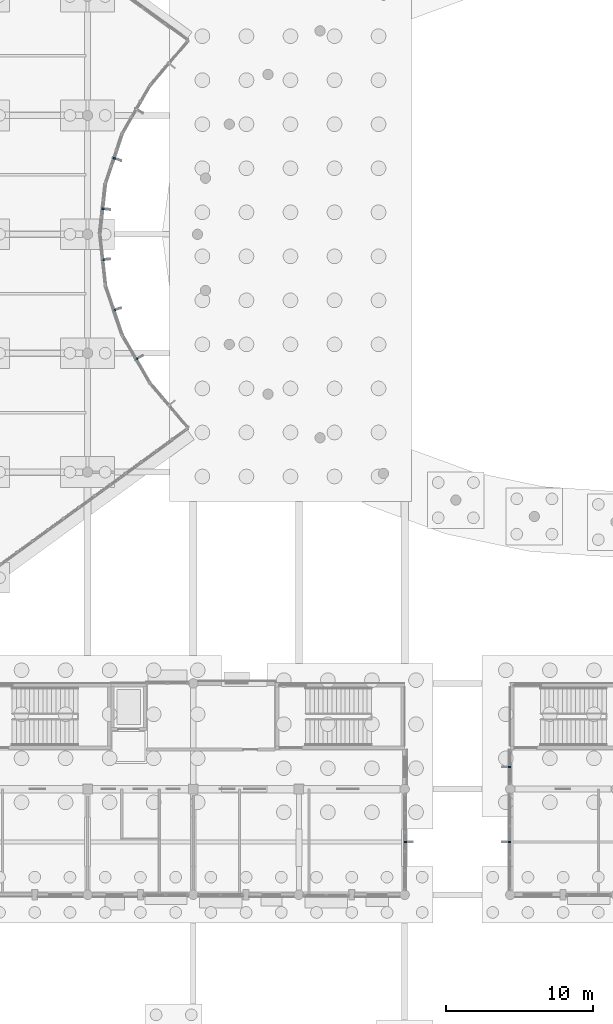
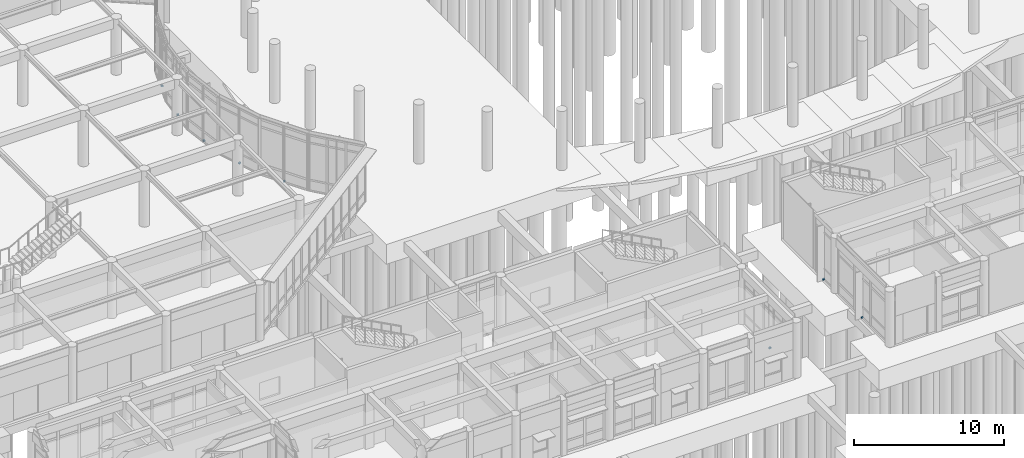
# One storey, part 67 of 103: 8 discrete accessories.
"""IFC4 building model written with IfcOpenShell, lengths in metres."""

from ifc_helpers import new_model, si_unit, direction, frame, origin, origin_2d, place, context, subcontext, project, spatial, rectangle, extrude, material, type_object, element, save


model = new_model("IFC4")

# Units and contexts
model_context = context("Model", 3, precision=1e-05, world=origin(), true_north=direction((0.0, 1.0)))
body_context = subcontext(model_context, "Body", "Model", "MODEL_VIEW")
ifc_project = project(units=[si_unit("LENGTHUNIT", "METRE"), si_unit("AREAUNIT", "SQUARE_METRE"), si_unit("VOLUMEUNIT", "CUBIC_METRE"), si_unit("PLANEANGLEUNIT", "RADIAN"), si_unit("MASSUNIT", "GRAM", prefix="KILO")], contexts=[model_context])

# Site, building, storey
site_placement = place(None, origin())
site = spatial("IfcSite", under=ifc_project, at=site_placement, CompositionType="ELEMENT")
building_placement = place(site_placement, origin())
building = spatial("IfcBuilding", under=site, at=building_placement, Name="Namkhue Oval Health Centre", CompositionType="ELEMENT")
storey_placement = place(building_placement, origin())
storey = spatial("IfcBuildingStorey", under=building, at=storey_placement, Name="L00", CompositionType="ELEMENT", Elevation=0.0)

# Discrete accessories
ifc_material = material(Name="Structural steel S355JR (TCVN CCT38)", Category="steel")
discrete_accessory_type = type_object("IfcDiscreteAccessoryType", Name="FACADE SHADING BRACKET", PredefinedType="BRACKET", material=ifc_material)
for number, where, z_axis, x_axis, name in (
    (1, (68.135498046875, 50.900146484375, 0.0), (0.0, 0.0, 1.0), (0.864976307593, 0.501812701416, 0.0), "Solar Fin Bracket 4"),
    (2, (66.619384765625, 54.22509765625, 0.0), (0.0, 0.0, 1.0), (0.947545503457, 0.319620898688, 0.0), "Solar Fin Bracket 5"),
    (3, (65.85302734375, 57.66259765625, 0.0), (0.0, 0.0, 1.0), (0.993903362457, 0.110254732764, 0.0), "Solar Fin Bracket 6"),
    (4, (65.85302734375, 61.137451171875, 0.0), (0.0, 0.0, 1.0), (0.993903362457, -0.110254732764, 0.0), "Solar Fin Bracket 7"),
    (5, (66.619384765625, 64.57470703125, 0.0), (0.0, 0.0, 1.0), (0.947545503457, -0.319620898688, 0.0), "Solar Fin Bracket 8"),
    (6, (86.4599609375, 18.0, 0.0), (0.0, 0.0, 1.0), (1.0, 0.0, 0.0), "Solar Fin Bracket 186"),
    (7, (93.5400390625, 23.10888671875, 0.0), (0.0, 0.0, 1.0), (-1.0, 0.0, 0.0), "Solar Fin Bracket 249"),
    (8, (93.5400390625, 18.0, 0.0), (0.0, 0.0, 1.0), (-1.0, 0.0, 0.0), "Solar Fin Bracket 250"),
):
    element("IfcDiscreteAccessory", number, at=place(storey_placement, frame(where, z_axis=z_axis, x_axis=x_axis)), inside=storey, type_object=discrete_accessory_type, Name=name, PredefinedType="BRACKET", context=body_context, shape_type="SweptSolid", body=[
        extrude(rectangle(XDim=0.159912109375, YDim=0.1201171875, at=origin_2d()), origin(), (0.0, 0.0, 1.0), 0.1201171875),
    ])

save(model, "model.ifc")
